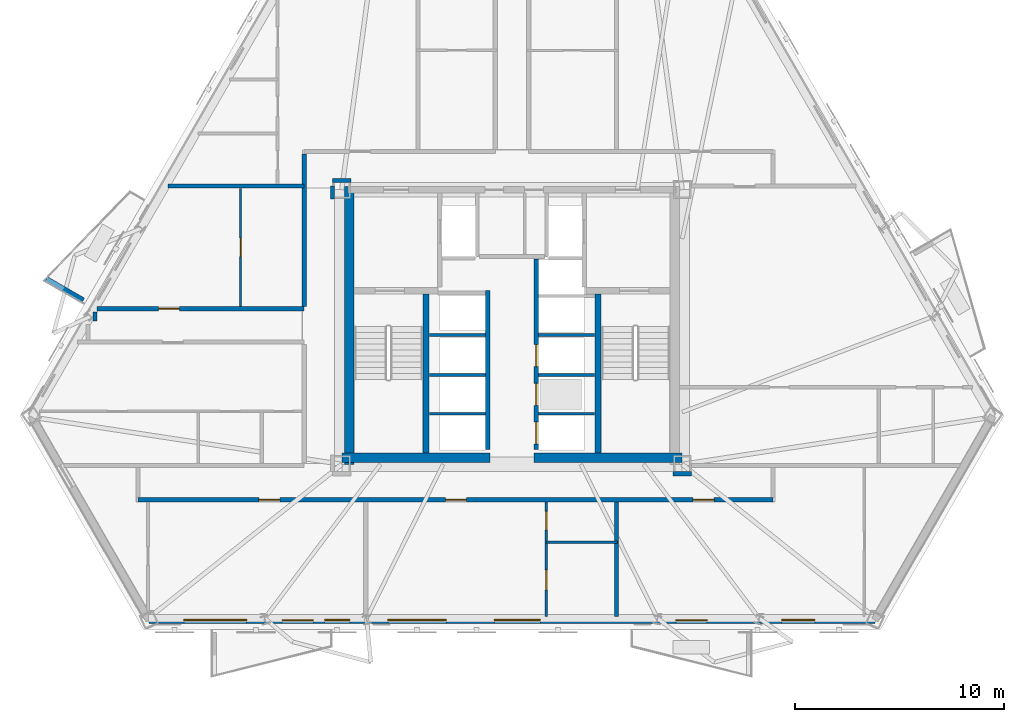
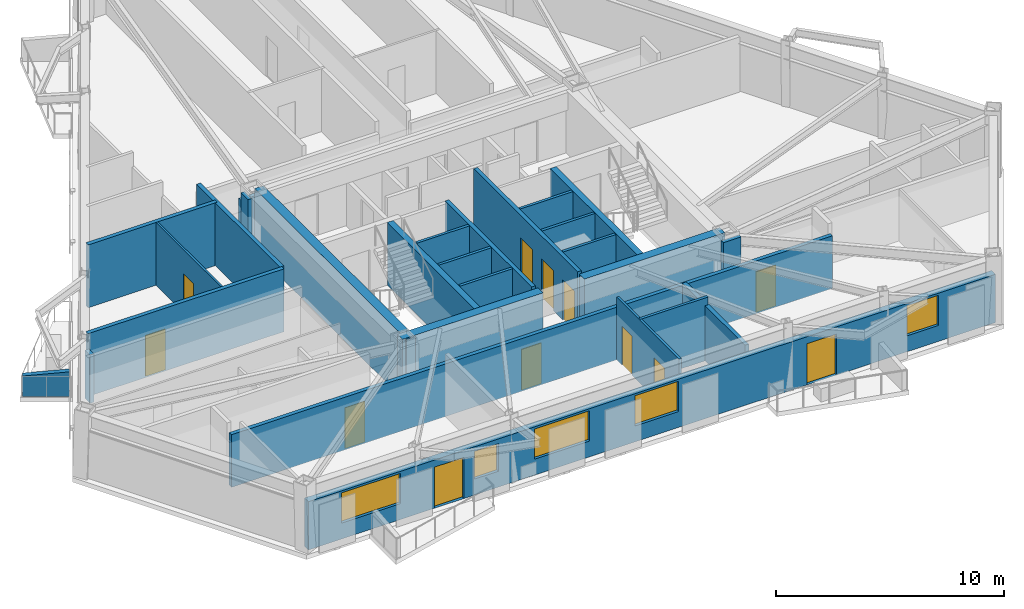
# One storey, part 3 of 11: 27 walls, 12 doors, 5 windows, 17 openings.
"""IFC4 building model written with IfcOpenShell, lengths in metres."""

from ifc_helpers import new_model, si_unit, direction, frame, frame_2d, origin, place, context, subcontext, project, spatial, polyline, rectangle, outline, extrude, material, layer, layer_set, type_object, element, fill, save


model = new_model("IFC4")

# Units and contexts
model_context = context("Model", 3, precision=1e-05, world=origin(), true_north=direction((0.0, 1.0)))
body_context = subcontext(model_context, "Body", "Model", "MODEL_VIEW")
ifc_project = project(units=[si_unit("LENGTHUNIT", "METRE"), si_unit("AREAUNIT", "SQUARE_METRE"), si_unit("VOLUMEUNIT", "CUBIC_METRE"), si_unit("PLANEANGLEUNIT", "RADIAN"), si_unit("MASSUNIT", "GRAM", prefix="KILO")], contexts=[model_context])

# Site, building, storey
site_placement = place(None, origin())
site = spatial("IfcSite", under=ifc_project, at=site_placement, CompositionType="ELEMENT")
building_placement = place(site_placement, origin())
building = spatial("IfcBuilding", under=site, at=building_placement, Name="Oramaril Tower", CompositionType="ELEMENT")
storey_placement = place(building_placement, frame((0.0, 0.0, 112.199951171875)))
storey = spatial("IfcBuildingStorey", under=building, at=storey_placement, Name="L29", CompositionType="ELEMENT", Elevation=112.199951171875)

# Wall, openings, doors, windows
ifc_material_1 = material(Name="Warm Cream Limestone", Category="masonry")
ifc_layer_1 = layer(ifc_material_1, 0.340087890625)
ifc_layer_set_1 = layer_set([ifc_layer_1], Name="WT-EXT34")
wall_type_1 = type_object("IfcWallType", Name="WT-EXT34", PredefinedType="SOLIDWALL", material=ifc_layer_set_1)
wall_1_placement = place(storey_placement, frame((20.125, 3.544677734375, 0.0), z_axis=(0.0, 0.0, 1.0), x_axis=(1.0, 0.0, 0.0)))
wall_1 = element("IfcWall", 1, at=wall_1_placement, inside=storey, type_object=wall_type_1, Name="L29 Tower Limestone Facade Wall 2M", PredefinedType="SOLIDWALL", context=body_context, shape_type="SweptSolid", body=[
    extrude(rectangle(XDim=34.75, YDim=0.340087890625, at=frame_2d((17.375, 0.0))), origin(), (0.0, 0.0, 1.0), 2.578125),
])
opening_1_placement = place(wall_1_placement, frame((6.369384765625, 0.0, 0.0)))
opening_1 = element("IfcOpeningElement", 2, at=opening_1_placement, cuts=wall_1, Name="Opening D-L29-BAL-S1", PredefinedType="OPENING", context=body_context, shape_type="SweptSolid", body=[
    extrude(rectangle(XDim=1.5, YDim=2.199951171875, at=frame_2d((0.75, 1.10009765625))), frame((0.0, 0.169921875, 0.0), z_axis=(0.0, -1.0, 0.0), x_axis=(1.0, 0.0, 0.0)), (0.0, 0.0, 1.0), 0.340087890625),
])
opening_2_placement = place(wall_1_placement, frame((25.2158203125, 0.0, 0.0)))
opening_2 = element("IfcOpeningElement", 3, at=opening_2_placement, cuts=wall_1, Name="Opening D-L29-BAL-S2", PredefinedType="OPENING", context=body_context, shape_type="SweptSolid", body=[
    extrude(rectangle(XDim=1.5, YDim=2.199951171875, at=frame_2d((0.75, 1.10009765625))), frame((0.0, 0.169921875, 0.0), z_axis=(0.0, -1.0, 0.0), x_axis=(1.0, 0.0, 0.0)), (0.0, 0.0, 1.0), 0.340087890625),
])
opening_3_placement = place(wall_1_placement, frame((1.669189453125, 0.0, 0.85009765625)))
opening_3 = element("IfcOpeningElement", 4, at=opening_3_placement, cuts=wall_1, Name="Opening WN-10", PredefinedType="OPENING", context=body_context, shape_type="SweptSolid", body=[
    extrude(rectangle(XDim=3.0, YDim=1.617919921875, at=frame_2d((1.5, 0.80908203125))), frame((0.0, 0.169921875, 0.0), z_axis=(0.0, -1.0, 0.0), x_axis=(1.0, 0.0, 0.0)), (0.0, 0.0, 1.0), 0.340087890625),
])
opening_4_placement = place(wall_1_placement, frame((8.407958984375, 0.0, 0.85009765625)))
opening_4 = element("IfcOpeningElement", 5, at=opening_4_placement, cuts=wall_1, Name="Opening WN-09", PredefinedType="OPENING", context=body_context, shape_type="SweptSolid", body=[
    extrude(rectangle(XDim=1.199951171875, YDim=1.47998046875, at=frame_2d((0.60009765625, 0.739990234375))), frame((0.0, 0.169921875, 0.0), z_axis=(0.0, -1.0, 0.0), x_axis=(1.0, 0.0, 0.0)), (0.0, 0.0, 1.0), 0.340087890625),
])
opening_5_placement = place(wall_1_placement, frame((11.427978515625, 0.0, 0.85009765625)))
opening_5 = element("IfcOpeningElement", 6, at=opening_5_placement, cuts=wall_1, Name="Opening WN-01", PredefinedType="OPENING", context=body_context, shape_type="SweptSolid", body=[
    extrude(rectangle(XDim=2.800048828125, YDim=1.617919921875, at=frame_2d((1.39990234375, 0.80908203125))), frame((0.0, 0.169921875, 0.0), z_axis=(0.0, -1.0, 0.0), x_axis=(1.0, 0.0, 0.0)), (0.0, 0.0, 1.0), 0.340087890625),
])
opening_6_placement = place(wall_1_placement, frame((16.53125, 0.0, 0.85009765625)))
opening_6 = element("IfcOpeningElement", 7, at=opening_6_placement, cuts=wall_1, Name="Opening WN-04", PredefinedType="OPENING", context=body_context, shape_type="SweptSolid", body=[
    extrude(rectangle(XDim=2.199951171875, YDim=1.617919921875, at=frame_2d((1.10009765625, 0.80908203125))), frame((0.0, 0.169921875, 0.0), z_axis=(0.0, -1.0, 0.0), x_axis=(1.0, 0.0, 0.0)), (0.0, 0.0, 1.0), 0.340087890625),
])
opening_7_placement = place(wall_1_placement, frame((30.281005859375, 0.0, 0.85009765625)))
opening_7 = element("IfcOpeningElement", 8, at=opening_7_placement, cuts=wall_1, Name="Opening WN-07", PredefinedType="OPENING", context=body_context, shape_type="SweptSolid", body=[
    extrude(rectangle(XDim=1.60009765625, YDim=1.617919921875, at=frame_2d((0.800048828125, 0.80908203125))), frame((0.0, 0.169921875, 0.0), z_axis=(0.0, -1.0, 0.0), x_axis=(1.0, 0.0, 0.0)), (0.0, 0.0, 1.0), 0.340087890625),
])
ifc_material_2 = material(Name="Anodised Aluminium 6063-T6", Category="aluminium")
door_type_1 = type_object("IfcDoorType", Name="DT-BAL", OperationType="NOTDEFINED", PredefinedType="DOOR", material=ifc_material_2)
door_1_placement = place(opening_1_placement, origin())
door_1 = element("IfcDoor", 9, at=door_1_placement, inside=storey, type_object=door_type_1, Name="L29 Balcony Glazed Door L29-BAL-S1", OperationType="SINGLE_SWING_RIGHT", OverallHeight=2.199951171875, OverallWidth=1.5, PredefinedType="DOOR", context=body_context, shape_type="SweptSolid", body=[
    extrude(rectangle(XDim=1.5, YDim=2.199951171875, at=frame_2d((0.75, 1.10009765625))), frame((0.0, 0.02490234375, 0.0), z_axis=(0.0, -1.0, 0.0), x_axis=(1.0, 0.0, 0.0)), (0.0, 0.0, 1.0), 0.050048828125),
])
fill(opening_1, door_1)
door_2_placement = place(opening_2_placement, origin())
door_2 = element("IfcDoor", 10, at=door_2_placement, inside=storey, type_object=door_type_1, Name="L29 Balcony Glazed Door L29-BAL-S2", OperationType="SINGLE_SWING_LEFT", OverallHeight=2.199951171875, OverallWidth=1.5, PredefinedType="DOOR", context=body_context, shape_type="SweptSolid", body=[
    extrude(rectangle(XDim=1.5, YDim=2.199951171875, at=frame_2d((0.75, 1.10009765625))), frame((0.0, 0.02490234375, 0.0), z_axis=(0.0, -1.0, 0.0), x_axis=(1.0, 0.0, 0.0)), (0.0, 0.0, 1.0), 0.050048828125),
])
fill(opening_2, door_2)
ifc_material_3 = material(Name="Coastal Low-E Insulated Glass", Category="glass")
window_type_1 = type_object("IfcWindowType", Name="WNT-01", PartitioningType="SINGLE_PANEL", PredefinedType="WINDOW", material=ifc_material_3)
window_1_placement = place(opening_5_placement, origin())
window_1 = element("IfcWindow", 11, at=window_1_placement, inside=storey, type_object=window_type_1, Name="L29 Chicago Bay Window WN-01", OverallHeight=1.617919921875, OverallWidth=2.800048828125, PartitioningType="SINGLE_PANEL", PredefinedType="WINDOW", context=body_context, shape_type="SweptSolid", body=[
    extrude(rectangle(XDim=2.800048828125, YDim=1.617919921875, at=frame_2d((1.39990234375, 0.80908203125))), frame((0.0, 0.030029296875, 0.0), z_axis=(0.0, -1.0, 0.0), x_axis=(1.0, 0.0, 0.0)), (0.0, 0.0, 1.0), 0.06005859375),
])
fill(opening_5, window_1)
ifc_material_4 = material(Name="Coastal Low-E Insulated Glass", Category="glass")
window_type_2 = type_object("IfcWindowType", Name="WNT-04", PartitioningType="SINGLE_PANEL", PredefinedType="WINDOW", material=ifc_material_4)
window_2_placement = place(opening_6_placement, origin())
window_2 = element("IfcWindow", 12, at=window_2_placement, inside=storey, type_object=window_type_2, Name="L29 Chicago Bay Window WN-04", OverallHeight=1.617919921875, OverallWidth=2.199951171875, PartitioningType="SINGLE_PANEL", PredefinedType="WINDOW", context=body_context, shape_type="SweptSolid", body=[
    extrude(rectangle(XDim=2.199951171875, YDim=1.617919921875, at=frame_2d((1.10009765625, 0.80908203125))), frame((0.0, 0.030029296875, 0.0), z_axis=(0.0, -1.0, 0.0), x_axis=(1.0, 0.0, 0.0)), (0.0, 0.0, 1.0), 0.06005859375),
])
fill(opening_6, window_2)
ifc_material_5 = material(Name="Coastal Low-E Insulated Glass", Category="glass")
window_type_3 = type_object("IfcWindowType", Name="WNT-07", PartitioningType="SINGLE_PANEL", PredefinedType="WINDOW", material=ifc_material_5)
window_3_placement = place(opening_7_placement, origin())
window_3 = element("IfcWindow", 13, at=window_3_placement, inside=storey, type_object=window_type_3, Name="L29 Chicago Bay Window WN-07", OverallHeight=1.617919921875, OverallWidth=1.60009765625, PartitioningType="SINGLE_PANEL", PredefinedType="WINDOW", context=body_context, shape_type="SweptSolid", body=[
    extrude(rectangle(XDim=1.60009765625, YDim=1.617919921875, at=frame_2d((0.800048828125, 0.80908203125))), frame((0.0, 0.030029296875, 0.0), z_axis=(0.0, -1.0, 0.0), x_axis=(1.0, 0.0, 0.0)), (0.0, 0.0, 1.0), 0.06005859375),
])
fill(opening_7, window_3)
ifc_material_6 = material(Name="Coastal Low-E Insulated Glass", Category="glass")
window_type_4 = type_object("IfcWindowType", Name="WNT-09", PartitioningType="SINGLE_PANEL", PredefinedType="WINDOW", material=ifc_material_6)
window_4_placement = place(opening_4_placement, origin())
window_4 = element("IfcWindow", 14, at=window_4_placement, inside=storey, type_object=window_type_4, Name="L29 Chicago Bay Window WN-09", OverallHeight=1.47998046875, OverallWidth=1.199951171875, PartitioningType="SINGLE_PANEL", PredefinedType="WINDOW", context=body_context, shape_type="SweptSolid", body=[
    extrude(rectangle(XDim=1.199951171875, YDim=1.47998046875, at=frame_2d((0.60009765625, 0.739990234375))), frame((0.0, 0.030029296875, 0.0), z_axis=(0.0, -1.0, 0.0), x_axis=(1.0, 0.0, 0.0)), (0.0, 0.0, 1.0), 0.06005859375),
])
fill(opening_4, window_4)
ifc_material_7 = material(Name="Coastal Low-E Insulated Glass", Category="glass")
window_type_5 = type_object("IfcWindowType", Name="WNT-10", PartitioningType="SINGLE_PANEL", PredefinedType="WINDOW", material=ifc_material_7)
window_5_placement = place(opening_3_placement, origin())
window_5 = element("IfcWindow", 15, at=window_5_placement, inside=storey, type_object=window_type_5, Name="L29 Chicago Bay Window WN-10", OverallHeight=1.617919921875, OverallWidth=3.0, PartitioningType="SINGLE_PANEL", PredefinedType="WINDOW", context=body_context, shape_type="SweptSolid", body=[
    extrude(rectangle(XDim=3.0, YDim=1.617919921875, at=frame_2d((1.5, 0.80908203125))), frame((0.0, 0.030029296875, 0.0), z_axis=(0.0, -1.0, 0.0), x_axis=(1.0, 0.0, 0.0)), (0.0, 0.0, 1.0), 0.06005859375),
])
fill(opening_3, window_5)

# Wall
ifc_material_8 = material(Name="Concrete C40/50", Category="concrete")
ifc_layer_2 = layer(ifc_material_8, 0.22998046875)
ifc_layer_set_2 = layer_set([ifc_layer_2], Name="WT-PRP23")
wall_type_2 = type_object("IfcWallType", Name="WT-PRP23", PredefinedType="PARAPET", material=ifc_layer_set_2)
wall_2_placement = place(storey_placement, frame((16.97705078125, 18.859619140625, 0.0), z_axis=(0.0, 0.0, 1.0), x_axis=(-0.866042246008, 0.499970827278, 0.0)))
element("IfcWall", 16, at=wall_2_placement, inside=storey, type_object=wall_type_2, Name="L29 Trapezoidal Balcony Frame Cheek L29-BAL-NW2-R", PredefinedType="PARAPET", context=body_context, shape_type="SweptSolid", body=[
    extrude(outline(polyline([(0.0, 0.0), (2.0419921875, 0.0), (2.0419921875, 1.10009765625), (0.0, 1.320068359375), (0.0, 0.0)])), frame((0.0, 0.114990234375, 0.0), z_axis=(0.0, -1.0, 0.0), x_axis=(1.0, 0.0, 0.0)), (0.0, 0.0, 1.0), 0.22998046875),
])

# Wall, opening, door
ifc_material_9 = material(Name="Acoustic Gypsum Board Partition")
ifc_layer_3 = layer(ifc_material_9, 0.10009765625)
ifc_layer_set_3 = layer_set([ifc_layer_3], Name="WT-PT10")
wall_type_3 = type_object("IfcWallType", Name="WT-PT10", PredefinedType="PARTITIONING", material=ifc_layer_set_3)
wall_3_placement = place(storey_placement, frame((24.510009765625, 18.553955078125, 0.0), z_axis=(0.0, 0.0, 1.0), x_axis=(0.0, 1.0, 0.0)))
wall_3 = element("IfcWall", 17, at=wall_3_placement, inside=storey, type_object=wall_type_3, Name="L29 Interior Partition PT-10", PredefinedType="PARTITIONING", context=body_context, shape_type="SweptSolid", body=[
    extrude(rectangle(XDim=5.662109375, YDim=0.10009765625, at=frame_2d((2.8310546875, 0.0))), origin(), (0.0, 0.0, 1.0), 3.360107421875),
])
opening_8_placement = place(wall_3_placement, frame((2.39111328125, 0.0, 0.0)))
opening_8 = element("IfcOpeningElement", 18, at=opening_8_placement, cuts=wall_3, Name="Opening D-L29-19", PredefinedType="OPENING", context=body_context, shape_type="SweptSolid", body=[
    extrude(rectangle(XDim=0.8798828125, YDim=2.080078125, at=frame_2d((0.43994140625, 1.0400390625))), frame((0.0, 0.050048828125, 0.0), z_axis=(0.0, -1.0, 0.0), x_axis=(1.0, 0.0, 0.0)), (0.0, 0.0, 1.0), 0.10009765625),
])
ifc_material_10 = material(Name="FSC Brazilian Freijo Hardwood", Category="wood")
door_type_2 = type_object("IfcDoorType", Name="DT-BATH", OperationType="NOTDEFINED", PredefinedType="DOOR", material=ifc_material_10)
door_3_placement = place(opening_8_placement, origin())
door_3 = element("IfcDoor", 19, at=door_3_placement, inside=storey, type_object=door_type_2, Name="L29 Flat L29-U5 Bathroom Door D-L29-19", OperationType="SINGLE_SWING_RIGHT", OverallHeight=2.080078125, OverallWidth=0.8798828125, PredefinedType="DOOR", context=body_context, shape_type="SweptSolid", body=[
    extrude(rectangle(XDim=0.8798828125, YDim=2.080078125, at=frame_2d((0.43994140625, 1.0400390625))), frame((0.0, 0.02490234375, 0.0), z_axis=(0.0, -1.0, 0.0), x_axis=(1.0, 0.0, 0.0)), (0.0, 0.0, 1.0), 0.050048828125),
])
fill(opening_8, door_3)

# Wall, openings, doors
ifc_material_11 = material(Name="Acoustic Gypsum Board Partition")
ifc_layer_4 = layer(ifc_material_11, 0.1201171875)
ifc_layer_set_4 = layer_set([ifc_layer_4], Name="WT-PT12")
wall_type_4 = type_object("IfcWallType", Name="WT-PT12", PredefinedType="PARTITIONING", material=ifc_layer_set_4)
wall_4_placement = place(storey_placement, frame((39.139892578125, 3.71875, 0.0), z_axis=(0.0, 0.0, 1.0), x_axis=(0.0, 1.0, 0.0)))
wall_4 = element("IfcWall", 20, at=wall_4_placement, inside=storey, type_object=wall_type_4, Name="L29 Interior Partition PT-12", PredefinedType="PARTITIONING", context=body_context, shape_type="SweptSolid", body=[
    extrude(rectangle(XDim=5.477294921875, YDim=0.1201171875, at=frame_2d((2.73876953125, 0.0))), origin(), (0.0, 0.0, 1.0), 3.360107421875),
])
opening_9_placement = place(wall_4_placement, frame((1.27490234375, 0.0, 0.0)))
opening_9 = element("IfcOpeningElement", 21, at=opening_9_placement, cuts=wall_4, Name="Opening D-L29-25", PredefinedType="OPENING", context=body_context, shape_type="SweptSolid", body=[
    extrude(rectangle(XDim=0.949951171875, YDim=2.10009765625, at=frame_2d((0.47509765625, 1.050048828125))), frame((0.0, 0.06005859375, 0.0), z_axis=(0.0, -1.0, 0.0), x_axis=(1.0, 0.0, 0.0)), (0.0, 0.0, 1.0), 0.1201171875),
])
opening_10_placement = place(wall_4_placement, frame((4.142578125, 0.0, 0.0)))
opening_10 = element("IfcOpeningElement", 22, at=opening_10_placement, cuts=wall_4, Name="Opening D-L29-26", PredefinedType="OPENING", context=body_context, shape_type="SweptSolid", body=[
    extrude(rectangle(XDim=0.8798828125, YDim=2.080078125, at=frame_2d((0.43994140625, 1.0400390625))), frame((0.0, 0.06005859375, 0.0), z_axis=(0.0, -1.0, 0.0), x_axis=(1.0, 0.0, 0.0)), (0.0, 0.0, 1.0), 0.1201171875),
])
door_4_placement = place(opening_10_placement, origin())
door_4 = element("IfcDoor", 23, at=door_4_placement, inside=storey, type_object=door_type_2, Name="L29 Flat L29-U2 Bathroom Door D-L29-26", OperationType="SINGLE_SWING_LEFT", OverallHeight=2.080078125, OverallWidth=0.8798828125, PredefinedType="DOOR", context=body_context, shape_type="SweptSolid", body=[
    extrude(rectangle(XDim=0.8798828125, YDim=2.080078125, at=frame_2d((0.43994140625, 1.0400390625))), frame((0.0, 0.02490234375, 0.0), z_axis=(0.0, -1.0, 0.0), x_axis=(1.0, 0.0, 0.0)), (0.0, 0.0, 1.0), 0.050048828125),
])
fill(opening_10, door_4)
ifc_material_12 = material(Name="FSC Brazilian Freijo Hardwood", Category="wood")
door_type_3 = type_object("IfcDoorType", Name="DT-STDY", OperationType="NOTDEFINED", PredefinedType="DOOR", material=ifc_material_12)
door_5_placement = place(opening_9_placement, origin())
door_5 = element("IfcDoor", 24, at=door_5_placement, inside=storey, type_object=door_type_3, Name="L29 Flat L29-U2 Kitchen Door D-L29-25", OperationType="SINGLE_SWING_RIGHT", OverallHeight=2.10009765625, OverallWidth=0.949951171875, PredefinedType="DOOR", context=body_context, shape_type="SweptSolid", body=[
    extrude(rectangle(XDim=0.949951171875, YDim=2.10009765625, at=frame_2d((0.47509765625, 1.050048828125))), frame((0.0, 0.02490234375, 0.0), z_axis=(0.0, -1.0, 0.0), x_axis=(1.0, 0.0, 0.0)), (0.0, 0.0, 1.0), 0.050048828125),
])
fill(opening_9, door_5)

# Walls
ifc_material_13 = material(Name="Acoustic Gypsum Board Partition")
ifc_layer_5 = layer(ifc_material_13, 0.139892578125)
ifc_layer_set_5 = layer_set([ifc_layer_5], Name="WT-PT14")
wall_type_5 = type_object("IfcWallType", Name="WT-PT14", PredefinedType="PARTITIONING", material=ifc_layer_set_5)
for number, where, z_axis, x_axis, name in (
    (25, (33.56005859375, 13.419921875, 0.0), (0.0, 0.0, 1.0), (1.0, 0.0, 0.0), "L29 West Lift Divider"),
    (26, (33.56005859375, 15.27001953125, 0.0), (0.0, 0.0, 1.0), (1.0, 0.0, 0.0), "L29 West Lift Divider"),
    (27, (33.56005859375, 17.199951171875, 0.0), (0.0, 0.0, 1.0), (1.0, 0.0, 0.0), "L29 West Lift Divider"),
    (28, (38.780029296875, 13.419921875, 0.0), (0.0, 0.0, 1.0), (1.0, 0.0, 0.0), "L29 East Lift Divider"),
    (29, (38.780029296875, 15.27001953125, 0.0), (0.0, 0.0, 1.0), (1.0, 0.0, 0.0), "L29 East Lift Divider"),
    (30, (38.780029296875, 17.199951171875, 0.0), (0.0, 0.0, 1.0), (1.0, 0.0, 0.0), "L29 East Lift Divider"),
):
    element("IfcWall", number, at=place(storey_placement, frame(where, z_axis=z_axis, x_axis=x_axis)), inside=storey, type_object=wall_type_5, Name=name, PredefinedType="PARTITIONING", context=body_context, shape_type="SweptSolid", body=[
        extrude(rectangle(XDim=2.659912109375, YDim=0.139892578125, at=frame_2d((1.330078125, 0.0))), origin(), (0.0, 0.0, 1.0), 3.360107421875),
    ])
wall_5_placement = place(storey_placement, frame((39.139892578125, 7.27001953125, 0.0), z_axis=(0.0, 0.0, 1.0), x_axis=(1.0, 0.0, 0.0)))
element("IfcWall", 31, at=wall_5_placement, inside=storey, type_object=wall_type_5, Name="L29 Interior Partition PT-14", PredefinedType="PARTITIONING", context=body_context, shape_type="SweptSolid", body=[
    extrude(rectangle(XDim=3.41015625, YDim=0.139892578125, at=frame_2d((1.705078125, 0.0))), origin(), (0.0, 0.0, 1.0), 3.360107421875),
])

# Wall, openings, doors
ifc_material_14 = material(Name="Autoclaved Cellular Concrete Block", Category="concrete")
ifc_layer_6 = layer(ifc_material_14, 0.199951171875)
ifc_layer_set_6 = layer_set([ifc_layer_6], Name="WT-PT20")
wall_type_6 = type_object("IfcWallType", Name="WT-PT20", PredefinedType="PARTITIONING", material=ifc_layer_set_6)
wall_6_placement = place(storey_placement, frame((19.60009765625, 9.300048828125, 0.0), z_axis=(0.0, 0.0, 1.0), x_axis=(1.0, 0.0, 0.0)))
wall_6 = element("IfcWall", 32, at=wall_6_placement, inside=storey, type_object=wall_type_6, Name="L29 Interior Partition PT-20", PredefinedType="PARTITIONING", context=body_context, shape_type="SweptSolid", body=[
    extrude(rectangle(XDim=30.39990234375, YDim=0.199951171875, at=frame_2d((15.199951171875, 0.0))), origin(), (0.0, 0.0, 1.0), 2.81396484375),
])
opening_11_placement = place(wall_6_placement, frame((5.783447265625, 0.0, 0.0)))
opening_11 = element("IfcOpeningElement", 33, at=opening_11_placement, cuts=wall_6, Name="Opening D-L29-01", PredefinedType="OPENING", context=body_context, shape_type="SweptSolid", body=[
    extrude(rectangle(XDim=1.0, YDim=2.179931640625, at=frame_2d((0.5, 1.08984375))), frame((0.0, 0.10009765625, 0.0), z_axis=(0.0, -1.0, 0.0), x_axis=(1.0, 0.0, 0.0)), (0.0, 0.0, 1.0), 0.199951171875),
])
opening_12_placement = place(wall_6_placement, frame((14.719970703125, 0.0, 0.0)))
opening_12 = element("IfcOpeningElement", 34, at=opening_12_placement, cuts=wall_6, Name="Opening D-L29-02", PredefinedType="OPENING", context=body_context, shape_type="SweptSolid", body=[
    extrude(rectangle(XDim=1.0, YDim=2.179931640625, at=frame_2d((0.5, 1.08984375))), frame((0.0, 0.10009765625, 0.0), z_axis=(0.0, -1.0, 0.0), x_axis=(1.0, 0.0, 0.0)), (0.0, 0.0, 1.0), 0.199951171875),
])
opening_13_placement = place(wall_6_placement, frame((26.576416015625, 0.0, 0.0)))
opening_13 = element("IfcOpeningElement", 35, at=opening_13_placement, cuts=wall_6, Name="Opening D-L29-03", PredefinedType="OPENING", context=body_context, shape_type="SweptSolid", body=[
    extrude(rectangle(XDim=1.0, YDim=2.179931640625, at=frame_2d((0.5, 1.08984375))), frame((0.0, 0.10009765625, 0.0), z_axis=(0.0, -1.0, 0.0), x_axis=(1.0, 0.0, 0.0)), (0.0, 0.0, 1.0), 0.199951171875),
])
ifc_material_15 = material(Name="FSC Brazilian Freijo Hardwood", Category="wood")
door_type_4 = type_object("IfcDoorType", Name="DT-APT", OperationType="NOTDEFINED", PredefinedType="DOOR", material=ifc_material_15)
door_6_placement = place(opening_11_placement, origin())
door_6 = element("IfcDoor", 36, at=door_6_placement, inside=storey, type_object=door_type_4, Name="L29 Flat L29-U1 Kitchen and Studio Apartment Door D-L29-01", OperationType="SINGLE_SWING_RIGHT", OverallHeight=2.179931640625, OverallWidth=1.0, PredefinedType="DOOR", context=body_context, shape_type="SweptSolid", body=[
    extrude(rectangle(XDim=1.0, YDim=2.179931640625, at=frame_2d((0.5, 1.08984375))), frame((0.0, 0.02490234375, 0.0), z_axis=(0.0, -1.0, 0.0), x_axis=(1.0, 0.0, 0.0)), (0.0, 0.0, 1.0), 0.050048828125),
])
fill(opening_11, door_6)
door_7_placement = place(opening_12_placement, origin())
door_7 = element("IfcDoor", 37, at=door_7_placement, inside=storey, type_object=door_type_4, Name="L29 Flat L29-U2 Studio Apartment Door D-L29-02", OperationType="SINGLE_SWING_LEFT", OverallHeight=2.179931640625, OverallWidth=1.0, PredefinedType="DOOR", context=body_context, shape_type="SweptSolid", body=[
    extrude(rectangle(XDim=1.0, YDim=2.179931640625, at=frame_2d((0.5, 1.08984375))), frame((0.0, 0.02490234375, 0.0), z_axis=(0.0, -1.0, 0.0), x_axis=(1.0, 0.0, 0.0)), (0.0, 0.0, 1.0), 0.050048828125),
])
fill(opening_12, door_7)
door_8_placement = place(opening_13_placement, origin())
door_8 = element("IfcDoor", 38, at=door_8_placement, inside=storey, type_object=door_type_4, Name="L29 Flat L29-U3 Kitchen and Studio Apartment Door D-L29-03", OperationType="SINGLE_SWING_RIGHT", OverallHeight=2.179931640625, OverallWidth=1.0, PredefinedType="DOOR", context=body_context, shape_type="SweptSolid", body=[
    extrude(rectangle(XDim=1.0, YDim=2.179931640625, at=frame_2d((0.5, 1.08984375))), frame((0.0, 0.02490234375, 0.0), z_axis=(0.0, -1.0, 0.0), x_axis=(1.0, 0.0, 0.0)), (0.0, 0.0, 1.0), 0.050048828125),
])
fill(opening_13, door_8)

# Wall
wall_7_placement = place(storey_placement, frame((45.205078125, 10.550048828125, 0.0), z_axis=(0.0, 0.0, 1.0), x_axis=(1.0, 0.0, 0.0)))
element("IfcWall", 39, at=wall_7_placement, inside=storey, type_object=wall_type_6, Name="L29 Interior Partition PT-20", PredefinedType="PARTITIONING", context=body_context, shape_type="SweptSolid", body=[
    extrude(rectangle(XDim=0.889892578125, YDim=0.199951171875, at=frame_2d((0.44482421875, 0.0))), origin(), (0.0, 0.0, 1.0), 3.360107421875),
])

# Wall, opening, door
wall_8_placement = place(storey_placement, frame((17.632080078125, 18.449951171875, 0.0), z_axis=(0.0, 0.0, 1.0), x_axis=(1.0, 0.0, 0.0)))
wall_8 = element("IfcWall", 40, at=wall_8_placement, inside=storey, type_object=wall_type_6, Name="L29 Interior Partition PT-20", PredefinedType="PARTITIONING", context=body_context, shape_type="SweptSolid", body=[
    extrude(rectangle(XDim=9.91796875, YDim=0.199951171875, at=frame_2d((4.958984375, 0.0))), origin(), (0.0, 0.0, 1.0), 3.360107421875),
])
opening_14_placement = place(wall_8_placement, frame((2.9443359375, 0.0, 0.0)))
opening_14 = element("IfcOpeningElement", 41, at=opening_14_placement, cuts=wall_8, Name="Opening D-L29-11", PredefinedType="OPENING", context=body_context, shape_type="SweptSolid", body=[
    extrude(rectangle(XDim=1.0, YDim=2.179931640625, at=frame_2d((0.5, 1.08984375))), frame((0.0, 0.10009765625, 0.0), z_axis=(0.0, -1.0, 0.0), x_axis=(1.0, 0.0, 0.0)), (0.0, 0.0, 1.0), 0.199951171875),
])
door_9_placement = place(opening_14_placement, origin())
door_9 = element("IfcDoor", 42, at=door_9_placement, inside=storey, type_object=door_type_4, Name="L29 Flat L29-U5 Kitchen and Studio Apartment Door D-L29-11", OperationType="SINGLE_SWING_RIGHT", OverallHeight=2.179931640625, OverallWidth=1.0, PredefinedType="DOOR", context=body_context, shape_type="SweptSolid", body=[
    extrude(rectangle(XDim=1.0, YDim=2.179931640625, at=frame_2d((0.5, 1.08984375))), frame((0.0, 0.02490234375, 0.0), z_axis=(0.0, -1.0, 0.0), x_axis=(1.0, 0.0, 0.0)), (0.0, 0.0, 1.0), 0.050048828125),
])
fill(opening_14, door_9)

# Walls
wall_9_placement = place(storey_placement, frame((21.02099609375, 24.320068359375, 0.0), z_axis=(0.0, 0.0, 1.0), x_axis=(1.0, 0.0, 0.0)))
element("IfcWall", 43, at=wall_9_placement, inside=storey, type_object=wall_type_6, Name="L29 Interior Partition PT-20", PredefinedType="PARTITIONING", context=body_context, shape_type="SweptSolid", body=[
    extrude(rectangle(XDim=6.529052734375, YDim=0.199951171875, at=frame_2d((3.2646484375, 0.0))), origin(), (0.0, 0.0, 1.0), 3.360107421875),
])
wall_10_placement = place(storey_placement, frame((28.909912109375, 24.590087890625, 0.0), z_axis=(0.0, 0.0, 1.0), x_axis=(1.0, 0.0, 0.0)))
element("IfcWall", 44, at=wall_10_placement, inside=storey, type_object=wall_type_6, Name="L29 Interior Partition PT-20", PredefinedType="PARTITIONING", context=body_context, shape_type="SweptSolid", body=[
    extrude(rectangle(XDim=0.880126953125, YDim=0.199951171875, at=frame_2d((0.43994140625, 0.0))), origin(), (0.0, 0.0, 1.0), 2.81396484375),
])
wall_11_placement = place(storey_placement, frame((17.5400390625, 17.85791015625, 0.0), z_axis=(0.0, 0.0, 1.0), x_axis=(0.0, 1.0, 0.0)))
element("IfcWall", 45, at=wall_11_placement, inside=storey, type_object=wall_type_6, Name="L29 Interior Partition PT-20", PredefinedType="PARTITIONING", context=body_context, shape_type="SweptSolid", body=[
    extrude(rectangle(XDim=0.432861328125, YDim=0.199951171875, at=frame_2d((0.21630859375, 0.0))), origin(), (0.0, 0.0, 1.0), 2.578125),
])
wall_12_placement = place(storey_placement, frame((27.550048828125, 18.553955078125, 0.0), z_axis=(0.0, 0.0, 1.0), x_axis=(0.0, 1.0, 0.0)))
element("IfcWall", 46, at=wall_12_placement, inside=storey, type_object=wall_type_6, Name="L29 Interior Partition PT-20", PredefinedType="PARTITIONING", context=body_context, shape_type="SweptSolid", body=[
    extrude(rectangle(XDim=7.31201171875, YDim=0.199951171875, at=frame_2d((3.656005859375, 0.0))), origin(), (0.0, 0.0, 1.0), 3.360107421875),
])
wall_13_placement = place(storey_placement, frame((28.909912109375, 23.7099609375, 0.0), z_axis=(0.0, 0.0, 1.0), x_axis=(0.0, 1.0, 0.0)))
element("IfcWall", 47, at=wall_13_placement, inside=storey, type_object=wall_type_6, Name="L29 Interior Partition PT-20", PredefinedType="PARTITIONING", context=body_context, shape_type="SweptSolid", body=[
    extrude(rectangle(XDim=0.610107421875, YDim=0.199951171875, at=frame_2d((0.30517578125, 0.0))), origin(), (0.0, 0.0, 1.0), 3.360107421875),
])
wall_14_placement = place(storey_placement, frame((42.5, 3.71875, 0.0), z_axis=(0.0, 0.0, 1.0), x_axis=(0.0, 1.0, 0.0)))
element("IfcWall", 48, at=wall_14_placement, inside=storey, type_object=wall_type_6, Name="L29 Interior Partition PT-20", PredefinedType="PARTITIONING", context=body_context, shape_type="SweptSolid", body=[
    extrude(rectangle(XDim=5.477294921875, YDim=0.199951171875, at=frame_2d((2.73876953125, 0.0))), origin(), (0.0, 0.0, 1.0), 2.946044921875),
])
ifc_material_16 = material(Name="Concrete C50/60", Category="concrete")
ifc_layer_7 = layer(ifc_material_16, 0.300048828125)
ifc_layer_set_7 = layer_set([ifc_layer_7], Name="WT-SH30")
wall_type_7 = type_object("IfcWallType", Name="WT-SH30", PredefinedType="SHEAR", material=ifc_layer_set_7)
for number, where, z_axis, x_axis, name in (
    (49, (33.3798828125, 11.5400390625, 0.0), (0.0, 0.0, 1.0), (0.0, 1.0, 0.0), "L29 Core Shear Wall CW-ST1E"),
    (50, (41.6201171875, 11.5400390625, 0.0), (0.0, 0.0, 1.0), (0.0, 1.0, 0.0), "L29 Core Shear Wall CW-ST2W"),
):
    element("IfcWall", number, at=place(storey_placement, frame(where, z_axis=z_axis, x_axis=x_axis)), inside=storey, type_object=wall_type_7, Name=name, PredefinedType="SHEAR", context=body_context, shape_type="SweptSolid", body=[
        extrude(rectangle(XDim=7.619873046875, YDim=0.300048828125, at=frame_2d((3.81005859375, 0.0))), origin(), (0.0, 0.0, 1.0), 3.360107421875),
    ])
ifc_material_17 = material(Name="Concrete C50/60", Category="concrete")
ifc_layer_8 = layer(ifc_material_17, 0.449951171875)
ifc_layer_set_8 = layer_set([ifc_layer_8], Name="WT-SH45")
wall_type_8 = type_object("IfcWallType", Name="WT-SH45", PredefinedType="SHEAR", material=ifc_layer_set_8)
wall_15_placement = place(storey_placement, frame((29.715087890625, 11.0, 0.0), z_axis=(0.0, 0.0, 1.0), x_axis=(0.0, 1.0, 0.0)))
element("IfcWall", 51, at=wall_15_placement, inside=storey, type_object=wall_type_8, Name="L29 Core Shear Wall CW-W", PredefinedType="SHEAR", context=body_context, shape_type="SweptSolid", body=[
    extrude(rectangle(XDim=13.300048828125, YDim=0.449951171875, at=frame_2d((6.64990234375, 0.0))), origin(), (0.0, 0.0, 1.0), 3.360107421875),
])
for number, where, z_axis, x_axis, name in (
    (52, (29.35009765625, 11.31494140625, 0.0), (0.0, 0.0, 1.0), (1.0, 0.0, 0.0), "L29 Core Shear Wall CW-SW"),
    (53, (38.550048828125, 11.31494140625, 0.0), (0.0, 0.0, 1.0), (1.0, 0.0, 0.0), "L29 Core Shear Wall CW-SE"),
):
    element("IfcWall", number, at=place(storey_placement, frame(where, z_axis=z_axis, x_axis=x_axis)), inside=storey, type_object=wall_type_8, Name=name, PredefinedType="SHEAR", context=body_context, shape_type="SweptSolid", body=[
        extrude(rectangle(XDim=7.099853515625, YDim=0.449951171875, at=frame_2d((3.5498046875, 0.0))), origin(), (0.0, 0.0, 1.0), 3.360107421875),
    ])
ifc_material_18 = material(Name="Autoclaved Cellular Concrete Block", Category="concrete")
ifc_layer_9 = layer(ifc_material_18, 0.199951171875)
ifc_layer_set_9 = layer_set([ifc_layer_9], Name="WT-SHF20")
wall_type_9 = type_object("IfcWallType", Name="WT-SHF20", PredefinedType="PARTITIONING", material=ifc_layer_set_9)
wall_16_placement = place(storey_placement, frame((36.340087890625, 11.719970703125, 0.0), z_axis=(0.0, 0.0, 1.0), x_axis=(0.0, 1.0, 0.0)))
element("IfcWall", 54, at=wall_16_placement, inside=storey, type_object=wall_type_9, Name="L29 West Lift Bank Front Wall", PredefinedType="PARTITIONING", context=body_context, shape_type="SweptSolid", body=[
    extrude(rectangle(XDim=7.60009765625, YDim=0.199951171875, at=frame_2d((3.800048828125, 0.0))), origin(), (0.0, 0.0, 1.0), 3.360107421875),
])

# Wall, openings, doors
wall_17_placement = place(storey_placement, frame((38.659912109375, 11.719970703125, 0.0), z_axis=(0.0, 0.0, 1.0), x_axis=(0.0, 1.0, 0.0)))
wall_17 = element("IfcWall", 55, at=wall_17_placement, inside=storey, type_object=wall_type_9, Name="L29 East Lift Bank Front Wall", PredefinedType="PARTITIONING", context=body_context, shape_type="SweptSolid", body=[
    extrude(rectangle(XDim=9.10009765625, YDim=0.199951171875, at=frame_2d((4.550048828125, 0.0))), origin(), (0.0, 0.0, 1.0), 3.360107421875),
])
opening_15_placement = place(wall_17_placement, frame((0.2548828125, 0.0, 0.0)))
opening_15 = element("IfcOpeningElement", 56, at=opening_15_placement, cuts=wall_17, Name="Opening LD-L29-LP-M1", PredefinedType="OPENING", context=body_context, shape_type="SweptSolid", body=[
    extrude(rectangle(XDim=1.050048828125, YDim=2.14990234375, at=frame_2d((0.52490234375, 1.074951171875))), frame((0.0, 0.10009765625, 0.0), z_axis=(0.0, -1.0, 0.0), x_axis=(1.0, 0.0, 0.0)), (0.0, 0.0, 1.0), 0.199951171875),
])
opening_16_placement = place(wall_17_placement, frame((2.10498046875, 0.0, 0.0)))
opening_16 = element("IfcOpeningElement", 57, at=opening_16_placement, cuts=wall_17, Name="Opening LD-L29-LP-M2", PredefinedType="OPENING", context=body_context, shape_type="SweptSolid", body=[
    extrude(rectangle(XDim=1.050048828125, YDim=2.14990234375, at=frame_2d((0.52490234375, 1.074951171875))), frame((0.0, 0.10009765625, 0.0), z_axis=(0.0, -1.0, 0.0), x_axis=(1.0, 0.0, 0.0)), (0.0, 0.0, 1.0), 0.199951171875),
])
opening_17_placement = place(wall_17_placement, frame((3.955078125, 0.0, 0.0)))
opening_17 = element("IfcOpeningElement", 58, at=opening_17_placement, cuts=wall_17, Name="Opening LD-L29-LP-M3", PredefinedType="OPENING", context=body_context, shape_type="SweptSolid", body=[
    extrude(rectangle(XDim=1.050048828125, YDim=2.14990234375, at=frame_2d((0.52490234375, 1.074951171875))), frame((0.0, 0.10009765625, 0.0), z_axis=(0.0, -1.0, 0.0), x_axis=(1.0, 0.0, 0.0)), (0.0, 0.0, 1.0), 0.199951171875),
])
ifc_material_19 = material(Name="Stainless Steel 316L", Category="steel")
door_type_5 = type_object("IfcDoorType", Name="DT-LD2", OperationType="NOTDEFINED", PredefinedType="DOOR", material=ifc_material_19)
door_10_placement = place(opening_15_placement, origin())
door_10 = element("IfcDoor", 59, at=door_10_placement, inside=storey, type_object=door_type_5, Name="L29 Lift LP-M1 Sliding Landing Door", OperationType="SLIDING_TO_RIGHT", OverallHeight=2.14990234375, OverallWidth=1.050048828125, PredefinedType="DOOR", context=body_context, shape_type="SweptSolid", body=[
    extrude(rectangle(XDim=1.050048828125, YDim=2.14990234375, at=frame_2d((0.52490234375, 1.074951171875))), frame((0.0, 0.02490234375, 0.0), z_axis=(0.0, -1.0, 0.0), x_axis=(1.0, 0.0, 0.0)), (0.0, 0.0, 1.0), 0.050048828125),
])
fill(opening_15, door_10)
door_11_placement = place(opening_16_placement, origin())
door_11 = element("IfcDoor", 60, at=door_11_placement, inside=storey, type_object=door_type_5, Name="L29 Lift LP-M2 Sliding Landing Door", OperationType="SLIDING_TO_LEFT", OverallHeight=2.14990234375, OverallWidth=1.050048828125, PredefinedType="DOOR", context=body_context, shape_type="SweptSolid", body=[
    extrude(rectangle(XDim=1.050048828125, YDim=2.14990234375, at=frame_2d((0.52490234375, 1.074951171875))), frame((0.0, 0.02490234375, 0.0), z_axis=(0.0, -1.0, 0.0), x_axis=(1.0, 0.0, 0.0)), (0.0, 0.0, 1.0), 0.050048828125),
])
fill(opening_16, door_11)
door_12_placement = place(opening_17_placement, origin())
door_12 = element("IfcDoor", 61, at=door_12_placement, inside=storey, type_object=door_type_5, Name="L29 Lift LP-M3 Sliding Landing Door", OperationType="SLIDING_TO_RIGHT", OverallHeight=2.14990234375, OverallWidth=1.050048828125, PredefinedType="DOOR", context=body_context, shape_type="SweptSolid", body=[
    extrude(rectangle(XDim=1.050048828125, YDim=2.14990234375, at=frame_2d((0.52490234375, 1.074951171875))), frame((0.0, 0.02490234375, 0.0), z_axis=(0.0, -1.0, 0.0), x_axis=(1.0, 0.0, 0.0)), (0.0, 0.0, 1.0), 0.050048828125),
])
fill(opening_17, door_12)

save(model, "model.ifc")
